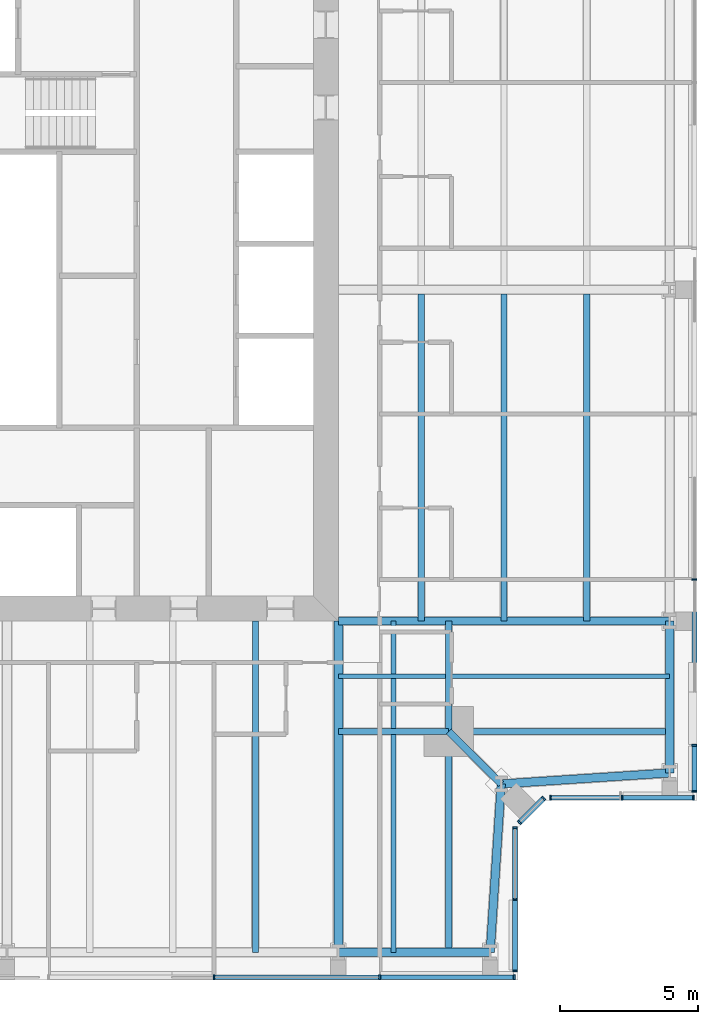
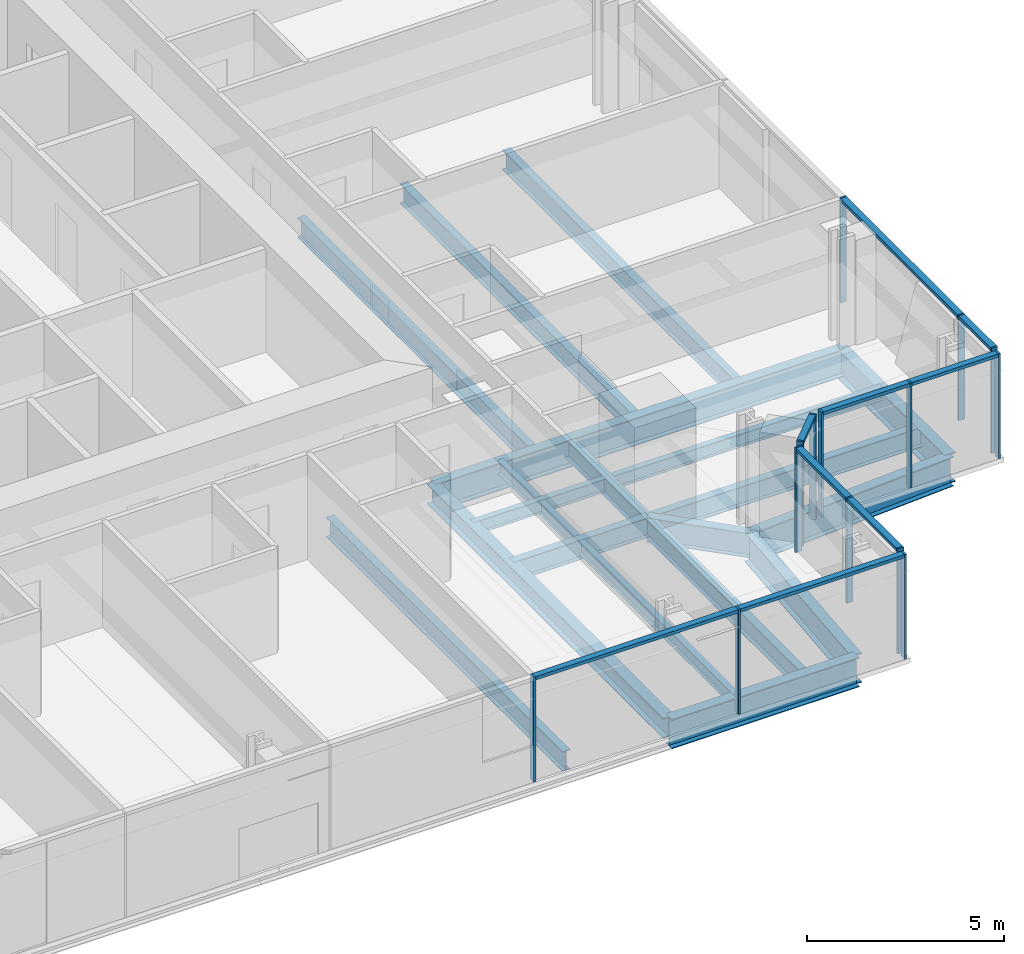
# One storey, part 5 of 20: 23 members, 20 beams, 5 elements without a shape of their own.
"""IFC4 building model written with IfcOpenShell, lengths in metres."""

from ifc_helpers import new_model, si_unit, direction, frame, origin, origin_2d, place, context, subcontext, project, spatial, rectangle, i_section, extrude, material, material_profile, profile_set, type_object, element, aggregate, save


model = new_model("IFC4")

# Units and contexts
model_context = context("Model", 3, precision=1e-05, world=origin(), true_north=direction((0.0, 1.0)))
body_context = subcontext(model_context, "Body", "Model", "MODEL_VIEW")
ifc_project = project(units=[si_unit("LENGTHUNIT", "METRE"), si_unit("AREAUNIT", "SQUARE_METRE"), si_unit("VOLUMEUNIT", "CUBIC_METRE"), si_unit("PLANEANGLEUNIT", "RADIAN"), si_unit("MASSUNIT", "GRAM", prefix="KILO")], contexts=[model_context])

# Site, building, storey
site_placement = place(None, origin())
site = spatial("IfcSite", under=ifc_project, at=site_placement, CompositionType="ELEMENT")
building_placement = place(site_placement, origin())
building = spatial("IfcBuilding", under=site, at=building_placement, Name="Fenwick Lantern Interchange", CompositionType="ELEMENT")
storey_placement = place(building_placement, frame((0.0, 0.0, 249.199951171875)))
storey = spatial("IfcBuildingStorey", under=building, at=storey_placement, Name="L58", CompositionType="ELEMENT", Elevation=249.199951171875)

# Beams
ifc_material_1 = material(Name="Steel ASTM A992 Grade 50", Category="steel")
ifc_material_profile_1 = material_profile(ifc_material_1, i_section(OverallWidth=0.3046875, OverallDepth=0.911865234375, WebThickness=0.015869140625, FlangeThickness=0.02392578125, at=origin_2d()), Name="W36X150")
ifc_profile_set_1 = profile_set([ifc_material_profile_1], Name="Steel ASTM A992 Grade 50")
beam_type_1 = type_object("IfcBeamType", Name="EDGE BEAM W36X150", PredefinedType="SPANDREL", material=ifc_profile_set_1)
beam_1_placement = place(storey_placement, frame((37.0, 1.0, -0.60595703125), z_axis=(1.0, 0.0, 0.0), x_axis=(0.0, 1.0, 0.0)))
element("IfcBeam", 1, at=beam_1_placement, inside=storey, type_object=beam_type_1, Name="L58/FR/S/EB4", PredefinedType="SPANDREL", context=body_context, shape_type="SweptSolid", body=[
    extrude(i_section(OverallWidth=0.3046875, OverallDepth=0.911865234375, WebThickness=0.015869140625, FlangeThickness=0.02392578125, at=origin_2d()), origin(), (0.0, 0.0, 1.0), 5.5),
])
for number, where, z_axis, x_axis, name in (
    (2, (42.5, 1.0, -0.60595703125), (0.065416293237, 0.997858060337, 0.0), (-0.997858060337, 0.065416293237, 0.0), "L58/FR/S/EBR1"),
    (3, (42.89990234375, 7.10009765625, -0.60595703125), (0.997858060337, 0.065416293237, 0.0), (-0.065416293237, 0.997858060337, 0.0), "L58/FR/S/EBR2"),
):
    element("IfcBeam", number, at=place(storey_placement, frame(where, z_axis=z_axis, x_axis=x_axis)), inside=storey, type_object=beam_type_1, Name=name, PredefinedType="SPANDREL", context=body_context, shape_type="SweptSolid", body=[
        extrude(i_section(OverallWidth=0.3046875, OverallDepth=0.911865234375, WebThickness=0.015869140625, FlangeThickness=0.02392578125, at=origin_2d()), origin(), (0.0, 0.0, 1.0), 6.11328125),
    ])
beam_2_placement = place(storey_placement, frame((49.0, 7.5, -0.60595703125), z_axis=(0.0, 1.0, 0.0), x_axis=(-1.0, 0.0, 0.0)))
element("IfcBeam", 4, at=beam_2_placement, inside=storey, type_object=beam_type_1, Name="L58/FR/E/EB1", PredefinedType="SPANDREL", context=body_context, shape_type="SweptSolid", body=[
    extrude(i_section(OverallWidth=0.3046875, OverallDepth=0.911865234375, WebThickness=0.015869140625, FlangeThickness=0.02392578125, at=origin_2d()), origin(), (0.0, 0.0, 1.0), 5.5),
])
ifc_material_profile_2 = material_profile(ifc_material_1, i_section(OverallWidth=0.22900390625, OverallDepth=0.612060546875, WebThickness=0.011962890625, FlangeThickness=0.01953125, at=origin_2d()), Name="W24X84")
ifc_profile_set_2 = profile_set([ifc_material_profile_2], Name="Steel ASTM A992 Grade 50")
beam_type_2 = type_object("IfcBeamType", Name="FLOOR BEAM W24X84", PredefinedType="BEAM", material=ifc_profile_set_2)
beam_3_placement = place(storey_placement, frame((34.0, 1.0, -0.4560546875), z_axis=(0.0, 1.0, 0.0), x_axis=(-1.0, 0.0, 0.0)))
element("IfcBeam", 5, at=beam_3_placement, inside=storey, type_object=beam_type_2, Name="L58/FR/S/R08", PredefinedType="BEAM", context=body_context, shape_type="SweptSolid", body=[
    extrude(i_section(OverallWidth=0.22900390625, OverallDepth=0.612060546875, WebThickness=0.011962890625, FlangeThickness=0.01953125, at=origin_2d()), origin(), (0.0, 0.0, 1.0), 12.0),
])
for number, where, z_axis, x_axis, name in (
    (6, (46.0, 13.0, -0.4560546875), (0.0, 1.0, 0.0), (-1.0, 0.0, 0.0), "L58/FR/E/B01"),
    (7, (43.0, 13.0, -0.4560546875), (0.0, 1.0, 0.0), (-1.0, 0.0, 0.0), "L58/FR/E/B02"),
    (8, (40.0, 13.0, -0.4560546875), (0.0, 1.0, 0.0), (-1.0, 0.0, 0.0), "L58/FR/E/B03"),
):
    element("IfcBeam", number, at=place(storey_placement, frame(where, z_axis=z_axis, x_axis=x_axis)), inside=storey, type_object=beam_type_2, Name=name, PredefinedType="BEAM", context=body_context, shape_type="SweptSolid", body=[
        extrude(i_section(OverallWidth=0.22900390625, OverallDepth=0.612060546875, WebThickness=0.011962890625, FlangeThickness=0.01953125, at=origin_2d()), origin(), (0.0, 0.0, 1.0), 11.844970703125),
    ])

# Curtain wall, members
ifc_material_2 = material(Name="Aluminium curtain wall frame", Category="aluminium")
curtain_wall_type = type_object("IfcCurtainWallType", Name="HOTEL CURTAIN WALL", PredefinedType="USERDEFINED", material=ifc_material_2)
curtain_wall_1_placement = place(storey_placement, origin())
curtain_wall_1 = element("IfcCurtainWall", 9, at=curtain_wall_1_placement, inside=storey, type_object=curtain_wall_type, Name="Hotel curtain wall 01", ObjectType="HOTEL CURTAIN WALL", PredefinedType="USERDEFINED")
ifc_material_3 = material(Name="Aluminium extrusion", Category="aluminium")
ifc_material_profile_3 = material_profile(ifc_material_3, rectangle(XDim=0.179931640625, YDim=0.06005859375, at=origin_2d()), Name="HOTEL CURTAIN WALL MULLION 60 X 180")
ifc_profile_set_3 = profile_set([ifc_material_profile_3], Name="Aluminium extrusion")
member_type_1 = type_object("IfcMemberType", Name="HOTEL CURTAIN WALL MULLION 60 X 180", PredefinedType="MULLION", material=ifc_profile_set_3)
member_1_placement = place(storey_placement, frame((32.5, 0.10009765625, 0.0), z_axis=(0.0, 0.0, 1.0), x_axis=(0.0, 1.0, 0.0)))
member_1 = element("IfcMember", 10, at=member_1_placement, type_object=member_type_1, Name="L58/CW/01/M05", PredefinedType="MULLION", context=body_context, shape_type="SweptSolid", body=[
    extrude(rectangle(XDim=0.179931640625, YDim=0.06005859375, at=origin_2d()), origin(), (0.0, 0.0, 1.0), 3.25),
])
member_2_placement = place(storey_placement, frame((38.5, 0.10009765625, 0.0), z_axis=(0.0, 0.0, 1.0), x_axis=(0.0, 1.0, 0.0)))
member_2 = element("IfcMember", 11, at=member_2_placement, type_object=member_type_1, Name="L58/CW/01/M06", PredefinedType="MULLION", context=body_context, shape_type="SweptSolid", body=[
    extrude(rectangle(XDim=0.179931640625, YDim=0.06005859375, at=origin_2d()), origin(), (0.0, 0.0, 1.0), 3.25),
])
member_3_placement = place(storey_placement, frame((43.3701171875, 0.10009765625, 0.0), z_axis=(0.0, 0.0, 1.0), x_axis=(0.0, 1.0, 0.0)))
member_3 = element("IfcMember", 12, at=member_3_placement, type_object=member_type_1, Name="L58/CW/01/M07", PredefinedType="MULLION", context=body_context, shape_type="SweptSolid", body=[
    extrude(rectangle(XDim=0.179931640625, YDim=0.06005859375, at=origin_2d()), origin(), (0.0, 0.0, 1.0), 3.25),
])

curtain_wall_2_placement = place(storey_placement, origin())
curtain_wall_2 = element("IfcCurtainWall", 13, at=curtain_wall_2_placement, inside=storey, type_object=curtain_wall_type, Name="Hotel curtain wall 02", ObjectType="HOTEL CURTAIN WALL", PredefinedType="USERDEFINED")
member_4_placement = place(storey_placement, frame((43.39990234375, 0.330078125, 0.0), z_axis=(0.0, 0.0, 1.0), x_axis=(-1.0, 0.0, 0.0)))
member_4 = element("IfcMember", 14, at=member_4_placement, type_object=member_type_1, Name="L58/CW/02/M00", PredefinedType="MULLION", context=body_context, shape_type="SweptSolid", body=[
    extrude(rectangle(XDim=0.179931640625, YDim=0.06005859375, at=origin_2d()), origin(), (0.0, 0.0, 1.0), 3.25),
])
member_5_placement = place(storey_placement, frame((43.39990234375, 2.920654296875, 0.0), z_axis=(0.0, 0.0, 1.0), x_axis=(-1.0, 0.0, 0.0)))
member_5 = element("IfcMember", 15, at=member_5_placement, type_object=member_type_1, Name="L58/CW/02/M01", PredefinedType="MULLION", context=body_context, shape_type="SweptSolid", body=[
    extrude(rectangle(XDim=0.179931640625, YDim=0.06005859375, at=origin_2d()), origin(), (0.0, 0.0, 1.0), 3.25),
])
member_6_placement = place(storey_placement, frame((43.39990234375, 5.511474609375, 0.0), z_axis=(0.0, 0.0, 1.0), x_axis=(-1.0, 0.0, 0.0)))
member_6 = element("IfcMember", 16, at=member_6_placement, type_object=member_type_1, Name="L58/CW/02/M02", PredefinedType="MULLION", context=body_context, shape_type="SweptSolid", body=[
    extrude(rectangle(XDim=0.179931640625, YDim=0.06005859375, at=origin_2d()), origin(), (0.0, 0.0, 1.0), 3.25),
])

curtain_wall_3_placement = place(storey_placement, origin())
curtain_wall_3 = element("IfcCurtainWall", 17, at=curtain_wall_3_placement, inside=storey, type_object=curtain_wall_type, Name="Hotel curtain wall 03", ObjectType="HOTEL CURTAIN WALL", PredefinedType="USERDEFINED")
member_7_placement = place(storey_placement, frame((43.562744140625, 5.7041015625, 0.0), z_axis=(0.0, 0.0, 1.0), x_axis=(-0.707106781187, 0.707106781187, 0.0)))
member_7 = element("IfcMember", 18, at=member_7_placement, type_object=member_type_1, Name="L58/CW/03/M00", PredefinedType="MULLION", context=body_context, shape_type="SweptSolid", body=[
    extrude(rectangle(XDim=0.179931640625, YDim=0.06005859375, at=origin_2d()), origin(), (0.0, 0.0, 1.0), 3.25),
])
member_8_placement = place(storey_placement, frame((44.437255859375, 6.578857421875, 0.0), z_axis=(0.0, 0.0, 1.0), x_axis=(-0.707106781187, 0.707106781187, 0.0)))
member_8 = element("IfcMember", 19, at=member_8_placement, type_object=member_type_1, Name="L58/CW/03/M01", PredefinedType="MULLION", context=body_context, shape_type="SweptSolid", body=[
    extrude(rectangle(XDim=0.179931640625, YDim=0.06005859375, at=origin_2d()), origin(), (0.0, 0.0, 1.0), 3.25),
])

curtain_wall_4_placement = place(storey_placement, origin())
curtain_wall_4 = element("IfcCurtainWall", 20, at=curtain_wall_4_placement, inside=storey, type_object=curtain_wall_type, Name="Hotel curtain wall 04", ObjectType="HOTEL CURTAIN WALL", PredefinedType="USERDEFINED")
member_9_placement = place(storey_placement, frame((44.6884765625, 6.60009765625, 0.0), z_axis=(0.0, 0.0, 1.0), x_axis=(0.0, 1.0, 0.0)))
member_9 = element("IfcMember", 21, at=member_9_placement, type_object=member_type_1, Name="L58/CW/04/M00", PredefinedType="MULLION", context=body_context, shape_type="SweptSolid", body=[
    extrude(rectangle(XDim=0.179931640625, YDim=0.06005859375, at=origin_2d()), origin(), (0.0, 0.0, 1.0), 3.25),
])
member_10_placement = place(storey_placement, frame((47.279296875, 6.60009765625, 0.0), z_axis=(0.0, 0.0, 1.0), x_axis=(0.0, 1.0, 0.0)))
member_10 = element("IfcMember", 22, at=member_10_placement, type_object=member_type_1, Name="L58/CW/04/M01", PredefinedType="MULLION", context=body_context, shape_type="SweptSolid", body=[
    extrude(rectangle(XDim=0.179931640625, YDim=0.06005859375, at=origin_2d()), origin(), (0.0, 0.0, 1.0), 3.25),
])
member_11_placement = place(storey_placement, frame((49.8701171875, 6.60009765625, 0.0), z_axis=(0.0, 0.0, 1.0), x_axis=(0.0, 1.0, 0.0)))
member_11 = element("IfcMember", 23, at=member_11_placement, type_object=member_type_1, Name="L58/CW/04/M02", PredefinedType="MULLION", context=body_context, shape_type="SweptSolid", body=[
    extrude(rectangle(XDim=0.179931640625, YDim=0.06005859375, at=origin_2d()), origin(), (0.0, 0.0, 1.0), 3.25),
])

curtain_wall_5_placement = place(storey_placement, origin())
curtain_wall_5 = element("IfcCurtainWall", 24, at=curtain_wall_5_placement, inside=storey, type_object=curtain_wall_type, Name="Hotel curtain wall 05", ObjectType="HOTEL CURTAIN WALL", PredefinedType="USERDEFINED")
member_12_placement = place(storey_placement, frame((49.89990234375, 6.830078125, 0.0), z_axis=(0.0, 0.0, 1.0), x_axis=(-1.0, 0.0, 0.0)))
member_12 = element("IfcMember", 25, at=member_12_placement, type_object=member_type_1, Name="L58/CW/05/M00", PredefinedType="MULLION", context=body_context, shape_type="SweptSolid", body=[
    extrude(rectangle(XDim=0.179931640625, YDim=0.06005859375, at=origin_2d()), origin(), (0.0, 0.0, 1.0), 3.25),
])
member_13_placement = place(storey_placement, frame((49.89990234375, 8.5, 0.0), z_axis=(0.0, 0.0, 1.0), x_axis=(-1.0, 0.0, 0.0)))
member_13 = element("IfcMember", 26, at=member_13_placement, type_object=member_type_1, Name="L58/CW/05/M01", PredefinedType="MULLION", context=body_context, shape_type="SweptSolid", body=[
    extrude(rectangle(XDim=0.179931640625, YDim=0.06005859375, at=origin_2d()), origin(), (0.0, 0.0, 1.0), 3.25),
])
member_14_placement = place(storey_placement, frame((49.89990234375, 14.5, 0.0), z_axis=(0.0, 0.0, 1.0), x_axis=(-1.0, 0.0, 0.0)))
member_14 = element("IfcMember", 27, at=member_14_placement, type_object=member_type_1, Name="L58/CW/05/M02", PredefinedType="MULLION", context=body_context, shape_type="SweptSolid", body=[
    extrude(rectangle(XDim=0.179931640625, YDim=0.06005859375, at=origin_2d()), origin(), (0.0, 0.0, 1.0), 3.25),
])

# Member
ifc_material_profile_4 = material_profile(ifc_material_3, rectangle(XDim=0.179931640625, YDim=0.10009765625, at=origin_2d()), Name="HOTEL CURTAIN WALL TRANSOM 100 X 180")
ifc_profile_set_4 = profile_set([ifc_material_profile_4], Name="Aluminium extrusion")
member_type_2 = type_object("IfcMemberType", Name="HOTEL CURTAIN WALL TRANSOM 100 X 180", PredefinedType="MULLION", material=ifc_profile_set_4)
member_15_placement = place(storey_placement, frame((32.530029296875, 0.10009765625, 3.199951171875), z_axis=(1.0, 0.0, 0.0), x_axis=(0.0, 1.0, 0.0)))
member_15 = element("IfcMember", 28, at=member_15_placement, type_object=member_type_2, Name="L58/CW/01/T05", PredefinedType="MULLION", context=body_context, shape_type="SweptSolid", body=[
    extrude(rectangle(XDim=0.179931640625, YDim=0.10009765625, at=origin_2d()), origin(), (0.0, 0.0, 1.0), 5.93994140625),
])

member_16_placement = place(storey_placement, frame((38.530029296875, 0.10009765625, 3.199951171875), z_axis=(1.0, 0.0, 0.0), x_axis=(0.0, 1.0, 0.0)))
member_16 = element("IfcMember", 29, at=member_16_placement, type_object=member_type_2, Name="L58/CW/01/T06", PredefinedType="MULLION", context=body_context, shape_type="SweptSolid", body=[
    extrude(rectangle(XDim=0.179931640625, YDim=0.10009765625, at=origin_2d()), origin(), (0.0, 0.0, 1.0), 4.81005859375),
])

aggregate(curtain_wall_1, [member_1, member_2, member_3, member_15, member_16])

member_17_placement = place(storey_placement, frame((43.39990234375, 0.360107421875, 3.199951171875), z_axis=(0.0, 1.0, 0.0), x_axis=(-1.0, 0.0, 0.0)))
member_17 = element("IfcMember", 30, at=member_17_placement, type_object=member_type_2, Name="L58/CW/02/T00", PredefinedType="MULLION", context=body_context, shape_type="SweptSolid", body=[
    extrude(rectangle(XDim=0.179931640625, YDim=0.10009765625, at=origin_2d()), origin(), (0.0, 0.0, 1.0), 2.530517578125),
])

member_18_placement = place(storey_placement, frame((43.39990234375, 2.95068359375, 3.199951171875), z_axis=(0.0, 1.0, 0.0), x_axis=(-1.0, 0.0, 0.0)))
member_18 = element("IfcMember", 31, at=member_18_placement, type_object=member_type_2, Name="L58/CW/02/T01", PredefinedType="MULLION", context=body_context, shape_type="SweptSolid", body=[
    extrude(rectangle(XDim=0.179931640625, YDim=0.10009765625, at=origin_2d()), origin(), (0.0, 0.0, 1.0), 2.53076171875),
])

aggregate(curtain_wall_2, [member_4, member_5, member_6, member_17, member_18])

member_19_placement = place(storey_placement, frame((43.583740234375, 5.725341796875, 3.199951171875), z_axis=(0.707210470133, 0.707003077033, 0.0), x_axis=(-0.707003077033, 0.707210470133, 0.0)))
member_19 = element("IfcMember", 32, at=member_19_placement, type_object=member_type_2, Name="L58/CW/03/T00", PredefinedType="MULLION", context=body_context, shape_type="SweptSolid", body=[
    extrude(rectangle(XDim=0.179931640625, YDim=0.10009765625, at=origin_2d()), origin(), (0.0, 0.0, 1.0), 1.17724609375),
])

aggregate(curtain_wall_3, [member_7, member_8, member_19])

member_20_placement = place(storey_placement, frame((44.718505859375, 6.60009765625, 3.199951171875), z_axis=(1.0, 0.0, 0.0), x_axis=(0.0, 1.0, 0.0)))
member_20 = element("IfcMember", 33, at=member_20_placement, type_object=member_type_2, Name="L58/CW/04/T00", PredefinedType="MULLION", context=body_context, shape_type="SweptSolid", body=[
    extrude(rectangle(XDim=0.179931640625, YDim=0.10009765625, at=origin_2d()), origin(), (0.0, 0.0, 1.0), 2.53076171875),
])

member_21_placement = place(storey_placement, frame((47.309326171875, 6.60009765625, 3.199951171875), z_axis=(1.0, 0.0, 0.0), x_axis=(0.0, 1.0, 0.0)))
member_21 = element("IfcMember", 34, at=member_21_placement, type_object=member_type_2, Name="L58/CW/04/T01", PredefinedType="MULLION", context=body_context, shape_type="SweptSolid", body=[
    extrude(rectangle(XDim=0.179931640625, YDim=0.10009765625, at=origin_2d()), origin(), (0.0, 0.0, 1.0), 2.53076171875),
])

aggregate(curtain_wall_4, [member_9, member_10, member_11, member_20, member_21])

member_22_placement = place(storey_placement, frame((49.89990234375, 6.860107421875, 3.199951171875), z_axis=(0.0, 1.0, 0.0), x_axis=(-1.0, 0.0, 0.0)))
member_22 = element("IfcMember", 35, at=member_22_placement, type_object=member_type_2, Name="L58/CW/05/T00", PredefinedType="MULLION", context=body_context, shape_type="SweptSolid", body=[
    extrude(rectangle(XDim=0.179931640625, YDim=0.10009765625, at=origin_2d()), origin(), (0.0, 0.0, 1.0), 1.60986328125),
])

member_23_placement = place(storey_placement, frame((49.89990234375, 8.530029296875, 3.199951171875), z_axis=(0.0, 1.0, 0.0), x_axis=(-1.0, 0.0, 0.0)))
member_23 = element("IfcMember", 36, at=member_23_placement, type_object=member_type_2, Name="L58/CW/05/T01", PredefinedType="MULLION", context=body_context, shape_type="SweptSolid", body=[
    extrude(rectangle(XDim=0.179931640625, YDim=0.10009765625, at=origin_2d()), origin(), (0.0, 0.0, 1.0), 5.93994140625),
])

aggregate(curtain_wall_5, [member_12, member_13, member_14, member_22, member_23])

# Beams
ifc_material_profile_5 = material_profile(ifc_material_1, i_section(OverallWidth=0.177734375, OverallDepth=0.406494140625, WebThickness=0.0078125, FlangeThickness=0.012939453125, at=origin_2d()), Name="W16X40")
ifc_profile_set_5 = profile_set([ifc_material_profile_5], Name="Steel ASTM A992 Grade 50")
beam_type_3 = type_object("IfcBeamType", Name="INFILL BEAM W16X40", PredefinedType="JOIST", material=ifc_profile_set_5)
beam_4_placement = place(storey_placement, frame((49.0, 11.0, -0.353271484375), z_axis=(-1.0, 0.0, 0.0), x_axis=(0.0, -1.0, 0.0)))
element("IfcBeam", 37, at=beam_4_placement, inside=storey, type_object=beam_type_3, Name="L58/FR/E/J1", PredefinedType="JOIST", context=body_context, shape_type="SweptSolid", body=[
    extrude(i_section(OverallWidth=0.177734375, OverallDepth=0.406494140625, WebThickness=0.0078125, FlangeThickness=0.012939453125, at=origin_2d()), origin(), (0.0, 0.0, 1.0), 7.885498046875),
])
beam_5_placement = place(storey_placement, frame((40.885498046875, 11.0, -0.353271484375), z_axis=(-1.0, 0.0, 0.0), x_axis=(0.0, -1.0, 0.0)))
element("IfcBeam", 38, at=beam_5_placement, inside=storey, type_object=beam_type_3, Name="L58/FR/E/J2", PredefinedType="JOIST", context=body_context, shape_type="SweptSolid", body=[
    extrude(i_section(OverallWidth=0.177734375, OverallDepth=0.406494140625, WebThickness=0.0078125, FlangeThickness=0.012939453125, at=origin_2d()), origin(), (0.0, 0.0, 1.0), 3.885498046875),
])
beam_6_placement = place(storey_placement, frame((39.0, 1.0, -0.353271484375), z_axis=(0.0, 1.0, 0.0), x_axis=(-1.0, 0.0, 0.0)))
element("IfcBeam", 39, at=beam_6_placement, inside=storey, type_object=beam_type_3, Name="L58/FR/E/J3", PredefinedType="JOIST", context=body_context, shape_type="SweptSolid", body=[
    extrude(i_section(OverallWidth=0.177734375, OverallDepth=0.406494140625, WebThickness=0.0078125, FlangeThickness=0.012939453125, at=origin_2d()), origin(), (0.0, 0.0, 1.0), 7.885498046875),
])
beam_7_placement = place(storey_placement, frame((39.0, 9.114501953125, -0.353271484375), z_axis=(0.0, 1.0, 0.0), x_axis=(-1.0, 0.0, 0.0)))
element("IfcBeam", 40, at=beam_7_placement, inside=storey, type_object=beam_type_3, Name="L58/FR/E/J4", PredefinedType="JOIST", context=body_context, shape_type="SweptSolid", body=[
    extrude(i_section(OverallWidth=0.177734375, OverallDepth=0.406494140625, WebThickness=0.0078125, FlangeThickness=0.012939453125, at=origin_2d()), origin(), (0.0, 0.0, 1.0), 1.796630859375),
])
beam_8_placement = place(storey_placement, frame((39.0, 11.0888671875, -0.353271484375), z_axis=(0.0, 1.0, 0.0), x_axis=(-1.0, 0.0, 0.0)))
element("IfcBeam", 41, at=beam_8_placement, inside=storey, type_object=beam_type_3, Name="L58/FR/E/J5", PredefinedType="JOIST", context=body_context, shape_type="SweptSolid", body=[
    extrude(i_section(OverallWidth=0.177734375, OverallDepth=0.406494140625, WebThickness=0.0078125, FlangeThickness=0.012939453125, at=origin_2d()), origin(), (0.0, 0.0, 1.0), 1.9111328125),
])
ifc_material_profile_6 = material_profile(ifc_material_1, i_section(OverallWidth=0.22900390625, OverallDepth=0.612060546875, WebThickness=0.011962890625, FlangeThickness=0.01953125, at=origin_2d()), Name="W24X84")
ifc_profile_set_6 = profile_set([ifc_material_profile_6], Name="Steel ASTM A992 Grade 50")
beam_type_4 = type_object("IfcBeamType", Name="MEGA COLUMN BEAM W24X84", PredefinedType="BEAM", material=ifc_profile_set_6)
for number, where, z_axis, x_axis, name in (
    (42, (41.0, 9.0, -0.4560546875), (1.0, 0.0, 0.0), (0.0, 1.0, 0.0), "L58/FR/E/MB1"),
    (43, (41.0, 9.0, -0.4560546875), (0.0, -1.0, 0.0), (1.0, 0.0, 0.0), "L58/FR/E/MB2"),
):
    element("IfcBeam", number, at=place(storey_placement, frame(where, z_axis=z_axis, x_axis=x_axis)), inside=storey, type_object=beam_type_4, Name=name, PredefinedType="BEAM", context=body_context, shape_type="SweptSolid", body=[
        extrude(i_section(OverallWidth=0.22900390625, OverallDepth=0.612060546875, WebThickness=0.011962890625, FlangeThickness=0.01953125, at=origin_2d()), origin(), (0.0, 0.0, 1.0), 8.0),
    ])
for number, where, z_axis, x_axis, name in (
    (44, (41.0, 9.0, -0.4560546875), (0.0, 1.0, 0.0), (-1.0, 0.0, 0.0), "L58/FR/E/MB3"),
    (45, (41.0, 9.0, -0.4560546875), (-1.0, 0.0, 0.0), (0.0, -1.0, 0.0), "L58/FR/E/MB4"),
):
    element("IfcBeam", number, at=place(storey_placement, frame(where, z_axis=z_axis, x_axis=x_axis)), inside=storey, type_object=beam_type_4, Name=name, PredefinedType="BEAM", context=body_context, shape_type="SweptSolid", body=[
        extrude(i_section(OverallWidth=0.22900390625, OverallDepth=0.612060546875, WebThickness=0.011962890625, FlangeThickness=0.01953125, at=origin_2d()), origin(), (0.0, 0.0, 1.0), 4.0),
    ])
ifc_material_profile_7 = material_profile(ifc_material_1, i_section(OverallWidth=0.32763671875, OverallDepth=0.622314453125, WebThickness=0.015380859375, FlangeThickness=0.0244140625, at=origin_2d()), Name="W24X131")
ifc_profile_set_7 = profile_set([ifc_material_profile_7], Name="Steel ASTM A992 Grade 50")
beam_type_5 = type_object("IfcBeamType", Name="MOMENT-CONNECTED GIRDER W24X131", PredefinedType="BEAM", material=ifc_profile_set_7)
beam_9_placement = place(storey_placement, frame((37.0, 1.0, -0.461181640625), z_axis=(0.0, 1.0, 0.0), x_axis=(-1.0, 0.0, 0.0)))
element("IfcBeam", 46, at=beam_9_placement, inside=storey, type_object=beam_type_5, Name="L58/FR/S/R09", PredefinedType="BEAM", context=body_context, shape_type="SweptSolid", body=[
    extrude(i_section(OverallWidth=0.32763671875, OverallDepth=0.622314453125, WebThickness=0.015380859375, FlangeThickness=0.0244140625, at=origin_2d()), origin(), (0.0, 0.0, 1.0), 12.0),
])
ifc_material_profile_8 = material_profile(ifc_material_1, i_section(OverallWidth=0.2919921875, OverallDepth=0.845703125, WebThickness=0.015380859375, FlangeThickness=0.0244140625, at=origin_2d()), Name="W33X141")
ifc_profile_set_8 = profile_set([ifc_material_profile_8], Name="Steel ASTM A992 Grade 50")
beam_type_6 = type_object("IfcBeamType", Name="MOMENT-CONNECTED GIRDER W33X141", PredefinedType="BEAM", material=ifc_profile_set_8)
beam_10_placement = place(storey_placement, frame((49.0, 13.0, -0.57275390625), z_axis=(-1.0, 0.0, 0.0), x_axis=(0.0, -1.0, 0.0)))
element("IfcBeam", 47, at=beam_10_placement, inside=storey, type_object=beam_type_6, Name="L58/FR/E/R01", PredefinedType="BEAM", context=body_context, shape_type="SweptSolid", body=[
    extrude(i_section(OverallWidth=0.2919921875, OverallDepth=0.845703125, WebThickness=0.015380859375, FlangeThickness=0.0244140625, at=origin_2d()), origin(), (0.0, 0.0, 1.0), 12.0),
])
ifc_material_profile_9 = material_profile(ifc_material_1, i_section(OverallWidth=0.2666015625, OverallDepth=0.7568359375, WebThickness=0.013916015625, FlangeThickness=0.019287109375, at=origin_2d()), Name="W30X108")
ifc_profile_set_9 = profile_set([ifc_material_profile_9], Name="Steel ASTM A992 Grade 50")
beam_type_7 = type_object("IfcBeamType", Name="NOTCH BEAM W30X108", PredefinedType="BEAM", material=ifc_profile_set_9)
beam_11_placement = place(storey_placement, frame((41.0, 9.0, -0.5283203125), z_axis=(0.707106781187, -0.707106781187, 0.0), x_axis=(0.707106781187, 0.707106781187, 0.0)))
element("IfcBeam", 48, at=beam_11_placement, inside=storey, type_object=beam_type_7, Name="L58/FR/E/TG", PredefinedType="BEAM", context=body_context, shape_type="SweptSolid", body=[
    extrude(i_section(OverallWidth=0.2666015625, OverallDepth=0.7568359375, WebThickness=0.013916015625, FlangeThickness=0.019287109375, at=origin_2d()), origin(), (0.0, 0.0, 1.0), 2.686767578125),
])

save(model, "model.ifc")
